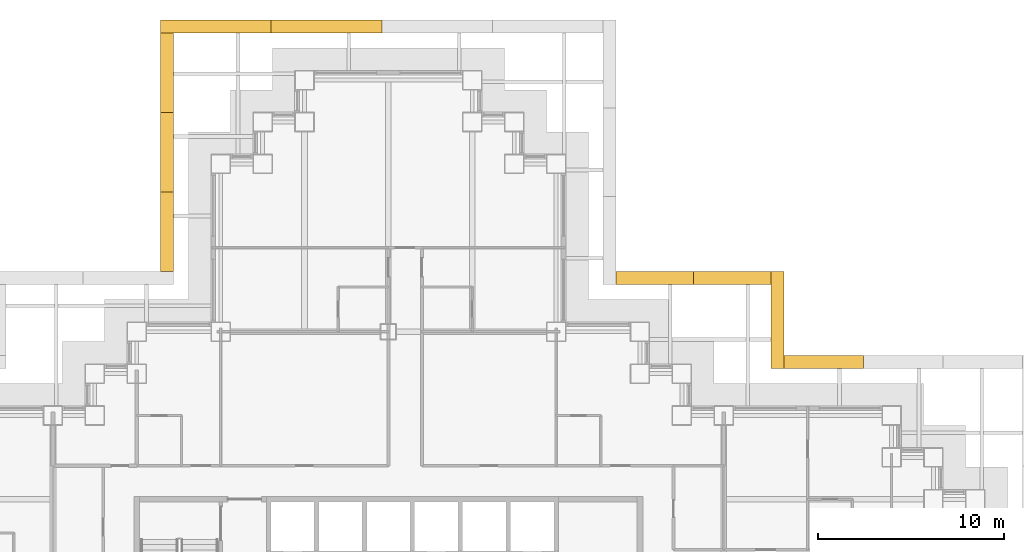
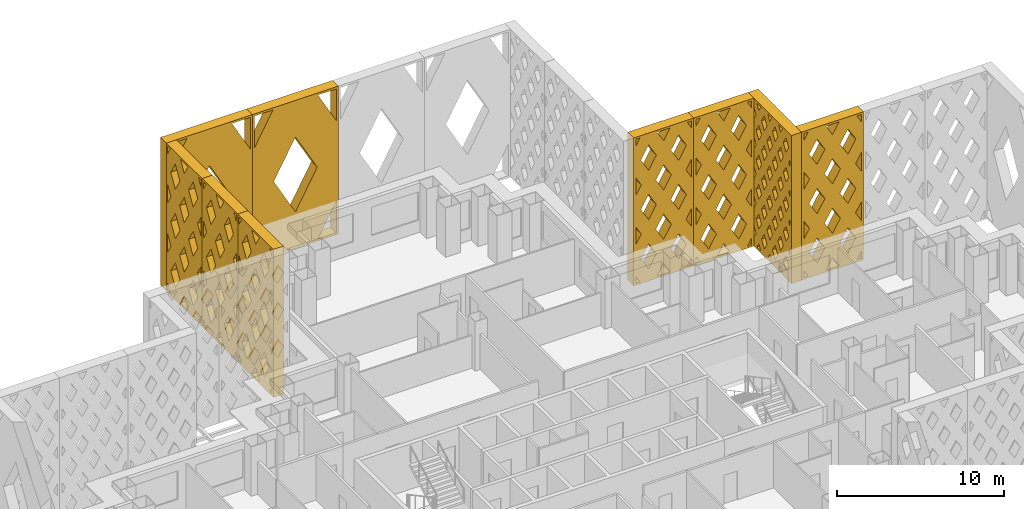
# One storey, part 18 of 19: 9 shading devices.
"""IFC4 building model written with IfcOpenShell, lengths in metres."""

from ifc_helpers import new_model, si_unit, direction, frame, origin, place, context, subcontext, project, spatial, polyline, outline, extrude, material, type_object, element, save


model = new_model("IFC4")

# Units and contexts
model_context = context("Model", 3, precision=1e-05, world=origin(), true_north=direction((0.0, 1.0)))
body_context = subcontext(model_context, "Body", "Model", "MODEL_VIEW")
ifc_project = project(units=[si_unit("LENGTHUNIT", "METRE"), si_unit("AREAUNIT", "SQUARE_METRE"), si_unit("VOLUMEUNIT", "CUBIC_METRE"), si_unit("PLANEANGLEUNIT", "RADIAN"), si_unit("MASSUNIT", "GRAM", prefix="KILO")], contexts=[model_context])

# Site, building, storey
site_placement = place(None, origin())
site = spatial("IfcSite", under=ifc_project, at=site_placement, CompositionType="ELEMENT")
building_placement = place(site_placement, origin())
building = spatial("IfcBuilding", under=site, at=building_placement, Name="Caravel Reach Hotel and Residences", CompositionType="ELEMENT")
storey_placement = place(building_placement, frame((0.0, 0.0, 52.800048828125)))
storey = spatial("IfcBuildingStorey", under=building, at=storey_placement, Name="L11", CompositionType="ELEMENT", Elevation=52.800048828125)

# Shading devices
ifc_material_1 = material(Name="Black powder-coated aluminium", Category="aluminium")
shading_device_type_1 = type_object("IfcShadingDeviceType", Name="Diamond lattice screen panel 4150 x 10800", PredefinedType="USERDEFINED", material=ifc_material_1)
shading_device_1_placement = place(storey_placement, frame((52.02490234375, 43.02490234375, 0.0), z_axis=(0.0, 1.0, 0.0), x_axis=(-1.0, 0.0, 0.0)))
element("IfcShadingDevice", 1, at=shading_device_1_placement, inside=storey, type_object=shading_device_type_1, Name="Lattice screen L11-L13 10.1", ObjectType="SCREEN", PredefinedType="USERDEFINED", context=body_context, shape_type="SweptSolid", body=[
    extrude(outline(polyline([(0.0, 0.0), (4.14990234375, 0.0), (4.14990234375, 10.800048828125), (0.0, 10.800048828125), (0.0, 0.0)]), holes=[polyline([(0.445556640625, 0.14990234375), (0.14990234375, 0.662841796875), (0.14990234375, 0.14990234375), (0.445556640625, 0.14990234375)]), polyline([(0.531982421875, 3.60009765625), (0.14990234375, 4.2626953125), (0.14990234375, 2.937255859375), (0.531982421875, 3.60009765625)]), polyline([(0.531982421875, 7.199951171875), (0.14990234375, 7.86279296875), (0.14990234375, 6.537353515625), (0.531982421875, 7.199951171875)]), polyline([(0.14990234375, 10.13720703125), (0.445556640625, 10.64990234375), (0.14990234375, 10.64990234375), (0.14990234375, 10.13720703125)]), polyline([(1.03759765625, 2.722900390625), (0.505615234375, 1.800048828125), (1.03759765625, 0.876953125), (1.569580078125, 1.800048828125), (1.03759765625, 2.722900390625)]), polyline([(1.03759765625, 6.322998046875), (0.505615234375, 5.39990234375), (1.03759765625, 4.47705078125), (1.569580078125, 5.39990234375), (1.03759765625, 6.322998046875)]), polyline([(1.03759765625, 9.9228515625), (0.505615234375, 9.0), (1.03759765625, 8.0771484375), (1.569580078125, 9.0), (1.03759765625, 9.9228515625)]), polyline([(2.074951171875, 0.9228515625), (1.62939453125, 0.14990234375), (2.5205078125, 0.14990234375), (2.074951171875, 0.9228515625)]), polyline([(2.074951171875, 4.52294921875), (1.54296875, 3.60009765625), (2.074951171875, 2.677001953125), (2.60693359375, 3.60009765625), (2.074951171875, 4.52294921875)]), polyline([(2.074951171875, 8.123046875), (1.54296875, 7.199951171875), (2.074951171875, 6.277099609375), (2.60693359375, 7.199951171875), (2.074951171875, 8.123046875)]), polyline([(2.074951171875, 9.876953125), (2.5205078125, 10.64990234375), (1.62939453125, 10.64990234375), (2.074951171875, 9.876953125)]), polyline([(3.112548828125, 2.722900390625), (2.58056640625, 1.800048828125), (3.112548828125, 0.876953125), (3.64453125, 1.800048828125), (3.112548828125, 2.722900390625)]), polyline([(3.112548828125, 6.322998046875), (2.58056640625, 5.39990234375), (3.112548828125, 4.47705078125), (3.64453125, 5.39990234375), (3.112548828125, 6.322998046875)]), polyline([(3.112548828125, 9.9228515625), (2.58056640625, 9.0), (3.112548828125, 8.0771484375), (3.64453125, 9.0), (3.112548828125, 9.9228515625)]), polyline([(4.0, 0.662841796875), (3.70458984375, 0.14990234375), (4.0, 0.14990234375), (4.0, 0.662841796875)]), polyline([(3.617919921875, 3.60009765625), (4.0, 2.937255859375), (4.0, 4.2626953125), (3.617919921875, 3.60009765625)]), polyline([(3.617919921875, 7.199951171875), (4.0, 6.537353515625), (4.0, 7.86279296875), (3.617919921875, 7.199951171875)]), polyline([(3.70458984375, 10.64990234375), (4.0, 10.13720703125), (4.0, 10.64990234375), (3.70458984375, 10.64990234375)])]), origin(), (0.0, 0.0, 1.0), 0.7001953125),
])
shading_device_2_placement = place(storey_placement, frame((47.875, 43.02490234375, 0.0), z_axis=(0.0, 1.0, 0.0), x_axis=(-1.0, 0.0, 0.0)))
element("IfcShadingDevice", 2, at=shading_device_2_placement, inside=storey, type_object=shading_device_type_1, Name="Lattice screen L11-L13 10.2", ObjectType="SCREEN", PredefinedType="USERDEFINED", context=body_context, shape_type="SweptSolid", body=[
    extrude(outline(polyline([(0.0, 0.0), (4.14990234375, 0.0), (4.14990234375, 10.800048828125), (0.0, 10.800048828125), (0.0, 0.0)]), holes=[polyline([(0.445556640625, 0.14990234375), (0.14990234375, 0.662841796875), (0.14990234375, 0.14990234375), (0.445556640625, 0.14990234375)]), polyline([(0.531982421875, 3.60009765625), (0.14990234375, 4.2626953125), (0.14990234375, 2.937255859375), (0.531982421875, 3.60009765625)]), polyline([(0.531982421875, 7.199951171875), (0.14990234375, 7.86279296875), (0.14990234375, 6.537353515625), (0.531982421875, 7.199951171875)]), polyline([(0.14990234375, 10.13720703125), (0.445556640625, 10.64990234375), (0.14990234375, 10.64990234375), (0.14990234375, 10.13720703125)]), polyline([(1.03759765625, 2.722900390625), (0.505615234375, 1.800048828125), (1.03759765625, 0.876953125), (1.569580078125, 1.800048828125), (1.03759765625, 2.722900390625)]), polyline([(1.03759765625, 6.322998046875), (0.505615234375, 5.39990234375), (1.03759765625, 4.47705078125), (1.569580078125, 5.39990234375), (1.03759765625, 6.322998046875)]), polyline([(1.03759765625, 9.9228515625), (0.505615234375, 9.0), (1.03759765625, 8.0771484375), (1.569580078125, 9.0), (1.03759765625, 9.9228515625)]), polyline([(2.074951171875, 0.9228515625), (1.62939453125, 0.14990234375), (2.5205078125, 0.14990234375), (2.074951171875, 0.9228515625)]), polyline([(2.074951171875, 4.52294921875), (1.54296875, 3.60009765625), (2.074951171875, 2.677001953125), (2.60693359375, 3.60009765625), (2.074951171875, 4.52294921875)]), polyline([(2.074951171875, 8.123046875), (1.54296875, 7.199951171875), (2.074951171875, 6.277099609375), (2.60693359375, 7.199951171875), (2.074951171875, 8.123046875)]), polyline([(2.074951171875, 9.876953125), (2.5205078125, 10.64990234375), (1.62939453125, 10.64990234375), (2.074951171875, 9.876953125)]), polyline([(3.112548828125, 2.722900390625), (2.58056640625, 1.800048828125), (3.112548828125, 0.876953125), (3.64453125, 1.800048828125), (3.112548828125, 2.722900390625)]), polyline([(3.112548828125, 6.322998046875), (2.58056640625, 5.39990234375), (3.112548828125, 4.47705078125), (3.64453125, 5.39990234375), (3.112548828125, 6.322998046875)]), polyline([(3.112548828125, 9.9228515625), (2.58056640625, 9.0), (3.112548828125, 8.0771484375), (3.64453125, 9.0), (3.112548828125, 9.9228515625)]), polyline([(4.0, 0.662841796875), (3.70458984375, 0.14990234375), (4.0, 0.14990234375), (4.0, 0.662841796875)]), polyline([(3.617919921875, 3.60009765625), (4.0, 2.937255859375), (4.0, 4.2626953125), (3.617919921875, 3.60009765625)]), polyline([(3.617919921875, 7.199951171875), (4.0, 6.537353515625), (4.0, 7.86279296875), (3.617919921875, 7.199951171875)]), polyline([(3.70458984375, 10.64990234375), (4.0, 10.13720703125), (4.0, 10.64990234375), (3.70458984375, 10.64990234375)])]), origin(), (0.0, 0.0, 1.0), 0.7001953125),
])
ifc_material_2 = material(Name="Black powder-coated aluminium", Category="aluminium")
shading_device_type_2 = type_object("IfcShadingDeviceType", Name="Diamond lattice screen panel 4267 x 10800", PredefinedType="USERDEFINED", material=ifc_material_2)
shading_device_3_placement = place(storey_placement, frame((56.99169921875, 38.52490234375, 0.0), z_axis=(0.0, 1.0, 0.0), x_axis=(-1.0, 0.0, 0.0)))
element("IfcShadingDevice", 3, at=shading_device_3_placement, inside=storey, type_object=shading_device_type_2, Name="Lattice screen L11-L13 8.3", ObjectType="SCREEN", PredefinedType="USERDEFINED", context=body_context, shape_type="SweptSolid", body=[
    extrude(outline(polyline([(0.0, 0.0), (4.2666015625, 0.0), (4.2666015625, 10.800048828125), (0.0, 10.800048828125), (0.0, 0.0)]), holes=[polyline([(0.457275390625, 0.14990234375), (0.14990234375, 0.66845703125), (0.14990234375, 0.14990234375), (0.457275390625, 0.14990234375)]), polyline([(0.546142578125, 3.60009765625), (0.14990234375, 4.2685546875), (0.14990234375, 2.931396484375), (0.546142578125, 3.60009765625)]), polyline([(0.546142578125, 7.199951171875), (0.14990234375, 7.868408203125), (0.14990234375, 6.531494140625), (0.546142578125, 7.199951171875)]), polyline([(0.14990234375, 10.131591796875), (0.457275390625, 10.64990234375), (0.14990234375, 10.64990234375), (0.14990234375, 10.131591796875)]), polyline([(1.066650390625, 2.7216796875), (0.5205078125, 1.800048828125), (1.066650390625, 0.87841796875), (1.61279296875, 1.800048828125), (1.066650390625, 2.7216796875)]), polyline([(1.066650390625, 6.321533203125), (0.5205078125, 5.39990234375), (1.066650390625, 4.478271484375), (1.61279296875, 5.39990234375), (1.066650390625, 6.321533203125)]), polyline([(1.066650390625, 9.921630859375), (0.5205078125, 9.0), (1.066650390625, 8.078369140625), (1.61279296875, 9.0), (1.066650390625, 9.921630859375)]), polyline([(2.13330078125, 0.921630859375), (1.676025390625, 0.14990234375), (2.590576171875, 0.14990234375), (2.13330078125, 0.921630859375)]), polyline([(2.13330078125, 4.521728515625), (1.587158203125, 3.60009765625), (2.13330078125, 2.678466796875), (2.679443359375, 3.60009765625), (2.13330078125, 4.521728515625)]), polyline([(2.13330078125, 8.12158203125), (1.587158203125, 7.199951171875), (2.13330078125, 6.2783203125), (2.679443359375, 7.199951171875), (2.13330078125, 8.12158203125)]), polyline([(2.13330078125, 9.87841796875), (2.590576171875, 10.64990234375), (1.676025390625, 10.64990234375), (2.13330078125, 9.87841796875)]), polyline([(3.199951171875, 2.7216796875), (2.65380859375, 1.800048828125), (3.199951171875, 0.87841796875), (3.74609375, 1.800048828125), (3.199951171875, 2.7216796875)]), polyline([(3.199951171875, 6.321533203125), (2.65380859375, 5.39990234375), (3.199951171875, 4.478271484375), (3.74609375, 5.39990234375), (3.199951171875, 6.321533203125)]), polyline([(3.199951171875, 9.921630859375), (2.65380859375, 9.0), (3.199951171875, 8.078369140625), (3.74609375, 9.0), (3.199951171875, 9.921630859375)]), polyline([(4.11669921875, 0.66845703125), (3.809326171875, 0.14990234375), (4.11669921875, 0.14990234375), (4.11669921875, 0.66845703125)]), polyline([(3.720458984375, 3.60009765625), (4.11669921875, 2.931396484375), (4.11669921875, 4.2685546875), (3.720458984375, 3.60009765625)]), polyline([(3.720458984375, 7.199951171875), (4.11669921875, 6.531494140625), (4.11669921875, 7.868408203125), (3.720458984375, 7.199951171875)]), polyline([(3.809326171875, 10.64990234375), (4.11669921875, 10.131591796875), (4.11669921875, 10.64990234375), (3.809326171875, 10.64990234375)])]), origin(), (0.0, 0.0, 1.0), 0.7001953125),
])
shading_device_4_placement = place(storey_placement, frame((19.97509765625, 56.52490234375, 0.0), z_axis=(-1.0, 0.0, 0.0), x_axis=(0.0, -1.0, 0.0)))
element("IfcShadingDevice", 4, at=shading_device_4_placement, inside=storey, type_object=shading_device_type_2, Name="Lattice screen L11-L13 13.1", ObjectType="SCREEN", PredefinedType="USERDEFINED", context=body_context, shape_type="SweptSolid", body=[
    extrude(outline(polyline([(0.0, 0.0), (4.2666015625, 0.0), (4.2666015625, 10.800048828125), (0.0, 10.800048828125), (0.0, 0.0)]), holes=[polyline([(0.457275390625, 0.14990234375), (0.14990234375, 0.66845703125), (0.14990234375, 0.14990234375), (0.457275390625, 0.14990234375)]), polyline([(0.546142578125, 3.60009765625), (0.14990234375, 4.2685546875), (0.14990234375, 2.931396484375), (0.546142578125, 3.60009765625)]), polyline([(0.546142578125, 7.199951171875), (0.14990234375, 7.868408203125), (0.14990234375, 6.531494140625), (0.546142578125, 7.199951171875)]), polyline([(0.14990234375, 10.131591796875), (0.457275390625, 10.64990234375), (0.14990234375, 10.64990234375), (0.14990234375, 10.131591796875)]), polyline([(1.066650390625, 2.7216796875), (0.5205078125, 1.800048828125), (1.066650390625, 0.87841796875), (1.61279296875, 1.800048828125), (1.066650390625, 2.7216796875)]), polyline([(1.066650390625, 6.321533203125), (0.5205078125, 5.39990234375), (1.066650390625, 4.478271484375), (1.61279296875, 5.39990234375), (1.066650390625, 6.321533203125)]), polyline([(1.066650390625, 9.921630859375), (0.5205078125, 9.0), (1.066650390625, 8.078369140625), (1.61279296875, 9.0), (1.066650390625, 9.921630859375)]), polyline([(2.13330078125, 0.921630859375), (1.676025390625, 0.14990234375), (2.590576171875, 0.14990234375), (2.13330078125, 0.921630859375)]), polyline([(2.13330078125, 4.521728515625), (1.587158203125, 3.60009765625), (2.13330078125, 2.678466796875), (2.679443359375, 3.60009765625), (2.13330078125, 4.521728515625)]), polyline([(2.13330078125, 8.12158203125), (1.587158203125, 7.199951171875), (2.13330078125, 6.2783203125), (2.679443359375, 7.199951171875), (2.13330078125, 8.12158203125)]), polyline([(2.13330078125, 9.87841796875), (2.590576171875, 10.64990234375), (1.676025390625, 10.64990234375), (2.13330078125, 9.87841796875)]), polyline([(3.199951171875, 2.7216796875), (2.65380859375, 1.800048828125), (3.199951171875, 0.87841796875), (3.74609375, 1.800048828125), (3.199951171875, 2.7216796875)]), polyline([(3.199951171875, 6.321533203125), (2.65380859375, 5.39990234375), (3.199951171875, 4.478271484375), (3.74609375, 5.39990234375), (3.199951171875, 6.321533203125)]), polyline([(3.199951171875, 9.921630859375), (2.65380859375, 9.0), (3.199951171875, 8.078369140625), (3.74609375, 9.0), (3.199951171875, 9.921630859375)]), polyline([(4.11669921875, 0.66845703125), (3.809326171875, 0.14990234375), (4.11669921875, 0.14990234375), (4.11669921875, 0.66845703125)]), polyline([(3.720458984375, 3.60009765625), (4.11669921875, 2.931396484375), (4.11669921875, 4.2685546875), (3.720458984375, 3.60009765625)]), polyline([(3.720458984375, 7.199951171875), (4.11669921875, 6.531494140625), (4.11669921875, 7.868408203125), (3.720458984375, 7.199951171875)]), polyline([(3.809326171875, 10.64990234375), (4.11669921875, 10.131591796875), (4.11669921875, 10.64990234375), (3.809326171875, 10.64990234375)])]), origin(), (0.0, 0.0, 1.0), 0.7001953125),
])
shading_device_5_placement = place(storey_placement, frame((19.97509765625, 52.25830078125, 0.0), z_axis=(-1.0, 0.0, 0.0), x_axis=(0.0, -1.0, 0.0)))
element("IfcShadingDevice", 5, at=shading_device_5_placement, inside=storey, type_object=shading_device_type_2, Name="Lattice screen L11-L13 13.2", ObjectType="SCREEN", PredefinedType="USERDEFINED", context=body_context, shape_type="SweptSolid", body=[
    extrude(outline(polyline([(0.0, 0.0), (4.2666015625, 0.0), (4.2666015625, 10.800048828125), (0.0, 10.800048828125), (0.0, 0.0)]), holes=[polyline([(0.457275390625, 0.14990234375), (0.14990234375, 0.66845703125), (0.14990234375, 0.14990234375), (0.457275390625, 0.14990234375)]), polyline([(0.546142578125, 3.60009765625), (0.14990234375, 4.2685546875), (0.14990234375, 2.931396484375), (0.546142578125, 3.60009765625)]), polyline([(0.546142578125, 7.199951171875), (0.14990234375, 7.868408203125), (0.14990234375, 6.531494140625), (0.546142578125, 7.199951171875)]), polyline([(0.14990234375, 10.131591796875), (0.457275390625, 10.64990234375), (0.14990234375, 10.64990234375), (0.14990234375, 10.131591796875)]), polyline([(1.066650390625, 2.7216796875), (0.5205078125, 1.800048828125), (1.066650390625, 0.87841796875), (1.61279296875, 1.800048828125), (1.066650390625, 2.7216796875)]), polyline([(1.066650390625, 6.321533203125), (0.5205078125, 5.39990234375), (1.066650390625, 4.478271484375), (1.61279296875, 5.39990234375), (1.066650390625, 6.321533203125)]), polyline([(1.066650390625, 9.921630859375), (0.5205078125, 9.0), (1.066650390625, 8.078369140625), (1.61279296875, 9.0), (1.066650390625, 9.921630859375)]), polyline([(2.13330078125, 0.921630859375), (1.676025390625, 0.14990234375), (2.590576171875, 0.14990234375), (2.13330078125, 0.921630859375)]), polyline([(2.13330078125, 4.521728515625), (1.587158203125, 3.60009765625), (2.13330078125, 2.678466796875), (2.679443359375, 3.60009765625), (2.13330078125, 4.521728515625)]), polyline([(2.13330078125, 8.12158203125), (1.587158203125, 7.199951171875), (2.13330078125, 6.2783203125), (2.679443359375, 7.199951171875), (2.13330078125, 8.12158203125)]), polyline([(2.13330078125, 9.87841796875), (2.590576171875, 10.64990234375), (1.676025390625, 10.64990234375), (2.13330078125, 9.87841796875)]), polyline([(3.199951171875, 2.7216796875), (2.65380859375, 1.800048828125), (3.199951171875, 0.87841796875), (3.74609375, 1.800048828125), (3.199951171875, 2.7216796875)]), polyline([(3.199951171875, 6.321533203125), (2.65380859375, 5.39990234375), (3.199951171875, 4.478271484375), (3.74609375, 5.39990234375), (3.199951171875, 6.321533203125)]), polyline([(3.199951171875, 9.921630859375), (2.65380859375, 9.0), (3.199951171875, 8.078369140625), (3.74609375, 9.0), (3.199951171875, 9.921630859375)]), polyline([(4.11669921875, 0.66845703125), (3.809326171875, 0.14990234375), (4.11669921875, 0.14990234375), (4.11669921875, 0.66845703125)]), polyline([(3.720458984375, 3.60009765625), (4.11669921875, 2.931396484375), (4.11669921875, 4.2685546875), (3.720458984375, 3.60009765625)]), polyline([(3.720458984375, 7.199951171875), (4.11669921875, 6.531494140625), (4.11669921875, 7.868408203125), (3.720458984375, 7.199951171875)]), polyline([(3.809326171875, 10.64990234375), (4.11669921875, 10.131591796875), (4.11669921875, 10.64990234375), (3.809326171875, 10.64990234375)])]), origin(), (0.0, 0.0, 1.0), 0.7001953125),
])
shading_device_6_placement = place(storey_placement, frame((19.97509765625, 47.99169921875, 0.0), z_axis=(-1.0, 0.0, 0.0), x_axis=(0.0, -1.0, 0.0)))
element("IfcShadingDevice", 6, at=shading_device_6_placement, inside=storey, type_object=shading_device_type_2, Name="Lattice screen L11-L13 13.3", ObjectType="SCREEN", PredefinedType="USERDEFINED", context=body_context, shape_type="SweptSolid", body=[
    extrude(outline(polyline([(0.0, 0.0), (4.2666015625, 0.0), (4.2666015625, 10.800048828125), (0.0, 10.800048828125), (0.0, 0.0)]), holes=[polyline([(0.457275390625, 0.14990234375), (0.14990234375, 0.66845703125), (0.14990234375, 0.14990234375), (0.457275390625, 0.14990234375)]), polyline([(0.546142578125, 3.60009765625), (0.14990234375, 4.2685546875), (0.14990234375, 2.931396484375), (0.546142578125, 3.60009765625)]), polyline([(0.546142578125, 7.199951171875), (0.14990234375, 7.868408203125), (0.14990234375, 6.531494140625), (0.546142578125, 7.199951171875)]), polyline([(0.14990234375, 10.131591796875), (0.457275390625, 10.64990234375), (0.14990234375, 10.64990234375), (0.14990234375, 10.131591796875)]), polyline([(1.066650390625, 2.7216796875), (0.5205078125, 1.800048828125), (1.066650390625, 0.87841796875), (1.61279296875, 1.800048828125), (1.066650390625, 2.7216796875)]), polyline([(1.066650390625, 6.321533203125), (0.5205078125, 5.39990234375), (1.066650390625, 4.478271484375), (1.61279296875, 5.39990234375), (1.066650390625, 6.321533203125)]), polyline([(1.066650390625, 9.921630859375), (0.5205078125, 9.0), (1.066650390625, 8.078369140625), (1.61279296875, 9.0), (1.066650390625, 9.921630859375)]), polyline([(2.13330078125, 0.921630859375), (1.676025390625, 0.14990234375), (2.590576171875, 0.14990234375), (2.13330078125, 0.921630859375)]), polyline([(2.13330078125, 4.521728515625), (1.587158203125, 3.60009765625), (2.13330078125, 2.678466796875), (2.679443359375, 3.60009765625), (2.13330078125, 4.521728515625)]), polyline([(2.13330078125, 8.12158203125), (1.587158203125, 7.199951171875), (2.13330078125, 6.2783203125), (2.679443359375, 7.199951171875), (2.13330078125, 8.12158203125)]), polyline([(2.13330078125, 9.87841796875), (2.590576171875, 10.64990234375), (1.676025390625, 10.64990234375), (2.13330078125, 9.87841796875)]), polyline([(3.199951171875, 2.7216796875), (2.65380859375, 1.800048828125), (3.199951171875, 0.87841796875), (3.74609375, 1.800048828125), (3.199951171875, 2.7216796875)]), polyline([(3.199951171875, 6.321533203125), (2.65380859375, 5.39990234375), (3.199951171875, 4.478271484375), (3.74609375, 5.39990234375), (3.199951171875, 6.321533203125)]), polyline([(3.199951171875, 9.921630859375), (2.65380859375, 9.0), (3.199951171875, 8.078369140625), (3.74609375, 9.0), (3.199951171875, 9.921630859375)]), polyline([(4.11669921875, 0.66845703125), (3.809326171875, 0.14990234375), (4.11669921875, 0.14990234375), (4.11669921875, 0.66845703125)]), polyline([(3.720458984375, 3.60009765625), (4.11669921875, 2.931396484375), (4.11669921875, 4.2685546875), (3.720458984375, 3.60009765625)]), polyline([(3.720458984375, 7.199951171875), (4.11669921875, 6.531494140625), (4.11669921875, 7.868408203125), (3.720458984375, 7.199951171875)]), polyline([(3.809326171875, 10.64990234375), (4.11669921875, 10.131591796875), (4.11669921875, 10.64990234375), (3.809326171875, 10.64990234375)])]), origin(), (0.0, 0.0, 1.0), 0.7001953125),
])
ifc_material_3 = material(Name="Black powder-coated aluminium", Category="aluminium")
shading_device_type_3 = type_object("IfcShadingDeviceType", Name="Diamond lattice screen panel 5200 x 10800", PredefinedType="USERDEFINED", material=ifc_material_3)
shading_device_7_placement = place(storey_placement, frame((52.02490234375, 38.52490234375, 0.0), z_axis=(1.0, 0.0, 0.0), x_axis=(0.0, 1.0, 0.0)))
element("IfcShadingDevice", 7, at=shading_device_7_placement, inside=storey, type_object=shading_device_type_3, Name="Lattice screen L11-L13 9.1", ObjectType="SCREEN", PredefinedType="USERDEFINED", context=body_context, shape_type="SweptSolid", body=[
    extrude(outline(polyline([(0.0, 0.0), (5.199951171875, 0.0), (5.199951171875, 10.800048828125), (0.0, 10.800048828125), (0.0, 0.0)]), holes=[polyline([(0.3271484375, 2.159912109375), (0.14990234375, 2.454345703125), (0.14990234375, 1.86572265625), (0.3271484375, 2.159912109375)]), polyline([(0.3271484375, 4.320068359375), (0.14990234375, 4.6142578125), (0.14990234375, 4.025634765625), (0.3271484375, 4.320068359375)]), polyline([(0.3271484375, 6.47998046875), (0.14990234375, 6.774169921875), (0.14990234375, 6.185791015625), (0.3271484375, 6.47998046875)]), polyline([(0.3271484375, 8.639892578125), (0.14990234375, 8.934326171875), (0.14990234375, 8.345703125), (0.3271484375, 8.639892578125)]), polyline([(0.64990234375, 1.62353515625), (0.322998046875, 1.080078125), (0.64990234375, 0.536376953125), (0.97705078125, 1.080078125), (0.64990234375, 1.62353515625)]), polyline([(0.64990234375, 3.783447265625), (0.322998046875, 3.239990234375), (0.64990234375, 2.696533203125), (0.97705078125, 3.239990234375), (0.64990234375, 3.783447265625)]), polyline([(0.64990234375, 5.943603515625), (0.322998046875, 5.39990234375), (0.64990234375, 4.8564453125), (0.97705078125, 5.39990234375), (0.64990234375, 5.943603515625)]), polyline([(0.64990234375, 8.103515625), (0.322998046875, 7.56005859375), (0.64990234375, 7.016357421875), (0.97705078125, 7.56005859375), (0.64990234375, 8.103515625)]), polyline([(0.64990234375, 10.263427734375), (0.322998046875, 9.719970703125), (0.64990234375, 9.176513671875), (0.97705078125, 9.719970703125), (0.64990234375, 10.263427734375)]), polyline([(1.300048828125, 0.54345703125), (1.063232421875, 0.14990234375), (1.536865234375, 0.14990234375), (1.300048828125, 0.54345703125)]), polyline([(1.300048828125, 2.70361328125), (0.972900390625, 2.159912109375), (1.300048828125, 1.616455078125), (1.627197265625, 2.159912109375), (1.300048828125, 2.70361328125)]), polyline([(1.300048828125, 4.863525390625), (0.972900390625, 4.320068359375), (1.300048828125, 3.7763671875), (1.627197265625, 4.320068359375), (1.300048828125, 4.863525390625)]), polyline([(1.300048828125, 7.0234375), (0.972900390625, 6.47998046875), (1.300048828125, 5.9365234375), (1.627197265625, 6.47998046875), (1.300048828125, 7.0234375)]), polyline([(1.300048828125, 9.18359375), (0.972900390625, 8.639892578125), (1.300048828125, 8.096435546875), (1.627197265625, 8.639892578125), (1.300048828125, 9.18359375)]), polyline([(1.300048828125, 10.256591796875), (1.536865234375, 10.64990234375), (1.063232421875, 10.64990234375), (1.300048828125, 10.256591796875)]), polyline([(1.949951171875, 1.62353515625), (1.622802734375, 1.080078125), (1.949951171875, 0.536376953125), (2.277099609375, 1.080078125), (1.949951171875, 1.62353515625)]), polyline([(1.949951171875, 3.783447265625), (1.622802734375, 3.239990234375), (1.949951171875, 2.696533203125), (2.277099609375, 3.239990234375), (1.949951171875, 3.783447265625)]), polyline([(1.949951171875, 5.943603515625), (1.622802734375, 5.39990234375), (1.949951171875, 4.8564453125), (2.277099609375, 5.39990234375), (1.949951171875, 5.943603515625)]), polyline([(1.949951171875, 8.103515625), (1.622802734375, 7.56005859375), (1.949951171875, 7.016357421875), (2.277099609375, 7.56005859375), (1.949951171875, 8.103515625)]), polyline([(1.949951171875, 10.263427734375), (1.622802734375, 9.719970703125), (1.949951171875, 9.176513671875), (2.277099609375, 9.719970703125), (1.949951171875, 10.263427734375)]), polyline([(2.60009765625, 0.54345703125), (2.363037109375, 0.14990234375), (2.8369140625, 0.14990234375), (2.60009765625, 0.54345703125)]), polyline([(2.60009765625, 2.70361328125), (2.27294921875, 2.159912109375), (2.60009765625, 1.616455078125), (2.927001953125, 2.159912109375), (2.60009765625, 2.70361328125)]), polyline([(2.60009765625, 4.863525390625), (2.27294921875, 4.320068359375), (2.60009765625, 3.7763671875), (2.927001953125, 4.320068359375), (2.60009765625, 4.863525390625)]), polyline([(2.60009765625, 7.0234375), (2.27294921875, 6.47998046875), (2.60009765625, 5.9365234375), (2.927001953125, 6.47998046875), (2.60009765625, 7.0234375)]), polyline([(2.60009765625, 9.18359375), (2.27294921875, 8.639892578125), (2.60009765625, 8.096435546875), (2.927001953125, 8.639892578125), (2.60009765625, 9.18359375)]), polyline([(2.60009765625, 10.256591796875), (2.8369140625, 10.64990234375), (2.363037109375, 10.64990234375), (2.60009765625, 10.256591796875)]), polyline([(3.25, 1.62353515625), (2.9228515625, 1.080078125), (3.25, 0.536376953125), (3.5771484375, 1.080078125), (3.25, 1.62353515625)]), polyline([(3.25, 3.783447265625), (2.9228515625, 3.239990234375), (3.25, 2.696533203125), (3.5771484375, 3.239990234375), (3.25, 3.783447265625)]), polyline([(3.25, 5.943603515625), (2.9228515625, 5.39990234375), (3.25, 4.8564453125), (3.5771484375, 5.39990234375), (3.25, 5.943603515625)]), polyline([(3.25, 8.103515625), (2.9228515625, 7.56005859375), (3.25, 7.016357421875), (3.5771484375, 7.56005859375), (3.25, 8.103515625)]), polyline([(3.25, 10.263427734375), (2.9228515625, 9.719970703125), (3.25, 9.176513671875), (3.5771484375, 9.719970703125), (3.25, 10.263427734375)]), polyline([(3.89990234375, 0.54345703125), (3.6630859375, 0.14990234375), (4.136962890625, 0.14990234375), (3.89990234375, 0.54345703125)]), polyline([(3.89990234375, 2.70361328125), (3.572998046875, 2.159912109375), (3.89990234375, 1.616455078125), (4.22705078125, 2.159912109375), (3.89990234375, 2.70361328125)]), polyline([(3.89990234375, 4.863525390625), (3.572998046875, 4.320068359375), (3.89990234375, 3.7763671875), (4.22705078125, 4.320068359375), (3.89990234375, 4.863525390625)]), polyline([(3.89990234375, 7.0234375), (3.572998046875, 6.47998046875), (3.89990234375, 5.9365234375), (4.22705078125, 6.47998046875), (3.89990234375, 7.0234375)]), polyline([(3.89990234375, 9.18359375), (3.572998046875, 8.639892578125), (3.89990234375, 8.096435546875), (4.22705078125, 8.639892578125), (3.89990234375, 9.18359375)]), polyline([(3.89990234375, 10.256591796875), (4.136962890625, 10.64990234375), (3.6630859375, 10.64990234375), (3.89990234375, 10.256591796875)]), polyline([(4.550048828125, 1.62353515625), (4.222900390625, 1.080078125), (4.550048828125, 0.536376953125), (4.877197265625, 1.080078125), (4.550048828125, 1.62353515625)]), polyline([(4.550048828125, 3.783447265625), (4.222900390625, 3.239990234375), (4.550048828125, 2.696533203125), (4.877197265625, 3.239990234375), (4.550048828125, 3.783447265625)]), polyline([(4.550048828125, 5.943603515625), (4.222900390625, 5.39990234375), (4.550048828125, 4.8564453125), (4.877197265625, 5.39990234375), (4.550048828125, 5.943603515625)]), polyline([(4.550048828125, 8.103515625), (4.222900390625, 7.56005859375), (4.550048828125, 7.016357421875), (4.877197265625, 7.56005859375), (4.550048828125, 8.103515625)]), polyline([(4.550048828125, 10.263427734375), (4.222900390625, 9.719970703125), (4.550048828125, 9.176513671875), (4.877197265625, 9.719970703125), (4.550048828125, 10.263427734375)]), polyline([(4.872802734375, 2.159912109375), (5.050048828125, 1.86572265625), (5.050048828125, 2.454345703125), (4.872802734375, 2.159912109375)]), polyline([(4.872802734375, 4.320068359375), (5.050048828125, 4.025634765625), (5.050048828125, 4.6142578125), (4.872802734375, 4.320068359375)]), polyline([(4.872802734375, 6.47998046875), (5.050048828125, 6.185791015625), (5.050048828125, 6.774169921875), (4.872802734375, 6.47998046875)]), polyline([(4.872802734375, 8.639892578125), (5.050048828125, 8.345703125), (5.050048828125, 8.934326171875), (4.872802734375, 8.639892578125)])]), origin(), (0.0, 0.0, 1.0), 0.7001953125),
])
ifc_material_4 = material(Name="Black powder-coated aluminium", Category="aluminium")
shading_device_type_4 = type_object("IfcShadingDeviceType", Name="Diamond lattice screen panel 5937 x 10800", PredefinedType="USERDEFINED", material=ifc_material_4)
for number, where, z_axis, x_axis, name in (
    (8, (31.14990234375, 56.52490234375, 0.0), (0.0, 1.0, 0.0), (-1.0, 0.0, 0.0), "Lattice screen L11-L13 12.3"),
    (9, (25.21240234375, 56.52490234375, 0.0), (0.0, 1.0, 0.0), (-1.0, 0.0, 0.0), "Lattice screen L11-L13 12.4"),
):
    element("IfcShadingDevice", number, at=place(storey_placement, frame(where, z_axis=z_axis, x_axis=x_axis)), inside=storey, type_object=shading_device_type_4, Name=name, ObjectType="SCREEN", PredefinedType="USERDEFINED", context=body_context, shape_type="SweptSolid", body=[
        extrude(outline(polyline([(0.0, 0.0), (5.9375, 0.0), (5.9375, 10.800048828125), (0.0, 10.800048828125), (0.0, 0.0)]), holes=[polyline([(1.42138671875, 0.14990234375), (0.14990234375, 2.462646484375), (0.14990234375, 0.14990234375), (1.42138671875, 0.14990234375)]), polyline([(0.14990234375, 8.33740234375), (1.42138671875, 10.64990234375), (0.14990234375, 10.64990234375), (0.14990234375, 8.33740234375)]), polyline([(2.96875, 8.135498046875), (1.46484375, 5.39990234375), (2.96875, 2.66455078125), (4.47265625, 5.39990234375), (2.96875, 8.135498046875)]), polyline([(5.78759765625, 2.462646484375), (4.51611328125, 0.14990234375), (5.78759765625, 0.14990234375), (5.78759765625, 2.462646484375)]), polyline([(4.51611328125, 10.64990234375), (5.78759765625, 8.33740234375), (5.78759765625, 10.64990234375), (4.51611328125, 10.64990234375)])]), origin(), (0.0, 0.0, 1.0), 0.7001953125),
    ])

save(model, "model.ifc")
